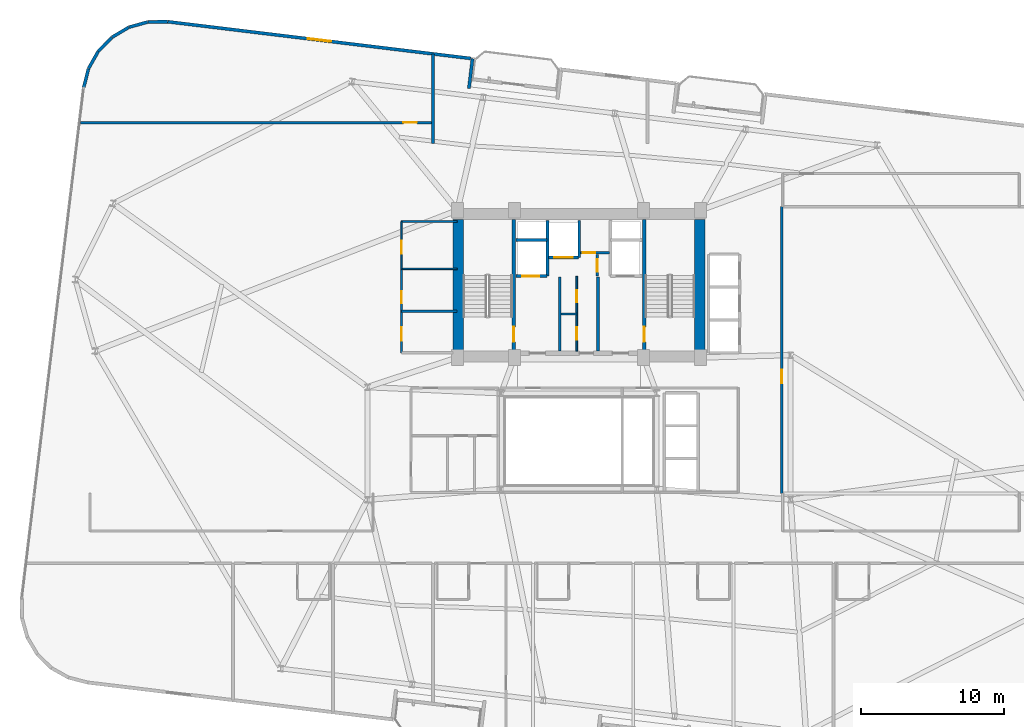
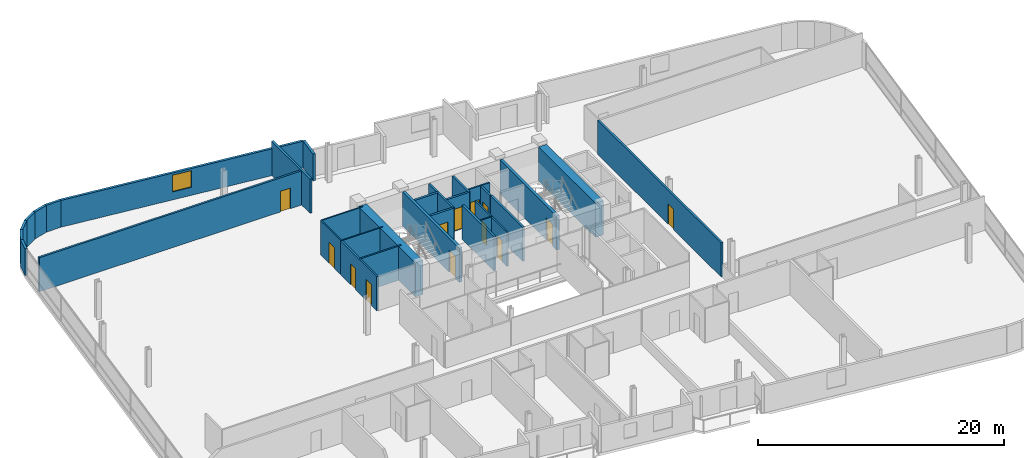
# One storey, part 22 of 26: 31 walls, 13 doors, 1 window, 14 openings.
"""IFC4 building model written with IfcOpenShell, lengths in metres."""

import ifcopenshell
import ifcopenshell.guid

model = None  # the IFC model being written
_history = None  # IfcOwnerHistory: only IFC2X3 demands one
_inside = {}  # id of a spatial element -> (the spatial element, [elements in it])
_under = {}  # id of a project, library or spatial element -> (it, [spatial elements below it])
_declared = {}  # id of a project -> (the project, [libraries it declares])
_typed = {}  # id of a type object -> (the type object, [elements of that type])
_made_of = {}  # id of a material, layer set ... -> (it, [elements and type objects made of it])


def new_model(schema):
    """Start an empty IFC model of exactly this schema.

    Asked for "IFC4X3", IfcOpenShell would pick the latest addendum, in which some entities
    have other attributes; the version numbers below select the first issue.
    IFC2X3 requires an IfcOwnerHistory on every rooted entity: one is made here for all.
    """
    global model, _history
    if schema == "IFC4X3":
        model = ifcopenshell.file(schema_version=(4, 3, 0, 0))
    else:
        model = ifcopenshell.file(schema=schema)
    _inside.clear()
    _under.clear()
    _declared.clear()
    _typed.clear()
    _made_of.clear()
    _history = None
    if model.schema == "IFC2X3":
        org = make("IfcOrganization", Name="unknown")
        user = make(
            "IfcPersonAndOrganization",
            ThePerson=make("IfcPerson", FamilyName="unknown"),
            TheOrganization=org,
        )
        app = make(
            "IfcApplication",
            ApplicationDeveloper=org,
            Version="unknown",
            ApplicationFullName="unknown",
            ApplicationIdentifier="unknown",
        )
        _history = make(
            "IfcOwnerHistory",
            OwningUser=user,
            OwningApplication=app,
            ChangeAction="ADDED",
            CreationDate=0,
        )
    return model


def make(cls, **values):
    """One entity of the class cls with the attributes given. An attribute that is None is left unset."""
    return model.create_entity(
        cls, **{name: value for name, value in values.items() if value is not None}
    )


def rooted(cls, **values):
    """An entity with a GlobalId (a new one), such as an element, a storey or a relation."""
    return make(cls, GlobalId=ifcopenshell.guid.new(), OwnerHistory=_history, **values)


def si_unit(unit_type, name, prefix=None):
    """IfcSIUnit, for example si_unit("LENGTHUNIT", "METRE", prefix="MILLI")."""
    return make("IfcSIUnit", UnitType=unit_type, Prefix=prefix, Name=name)


def assignment(units):
    """IfcUnitAssignment: the units of a project."""
    return None if units is None else make("IfcUnitAssignment", Units=units)


def point(xyz):
    """IfcCartesianPoint."""
    return None if xyz is None else make("IfcCartesianPoint", Coordinates=xyz)


def direction(xyz):
    """IfcDirection."""
    return None if xyz is None else make("IfcDirection", DirectionRatios=xyz)


def frame(location, z_axis=None, x_axis=None):
    """IfcAxis2Placement3D, a coordinate frame: its origin and axes. An axis left out is left unset."""
    return make(
        "IfcAxis2Placement3D",
        Location=point(location),
        Axis=direction(z_axis),
        RefDirection=direction(x_axis),
    )


def frame_2d(location, x_axis=None):
    """IfcAxis2Placement2D, a coordinate frame in the plane: its origin and x axis."""
    return make(
        "IfcAxis2Placement2D", Location=point(location), RefDirection=direction(x_axis)
    )


def origin():
    """The frame at (0, 0, 0) with its axes left unset."""
    return frame((0.0, 0.0, 0.0))


def place(relative_to, where):
    """IfcLocalPlacement: puts the frame where relative to a parent placement (None: the world)."""
    return make(
        "IfcLocalPlacement", PlacementRelTo=relative_to, RelativePlacement=where
    )


def context(
    kind, dimensions, precision=None, world=None, true_north=None, identifier=None
):
    """IfcGeometricRepresentationContext, for example the 3D "Model" context."""
    return make(
        "IfcGeometricRepresentationContext",
        ContextIdentifier=identifier,
        ContextType=kind,
        CoordinateSpaceDimension=dimensions,
        Precision=precision,
        WorldCoordinateSystem=world,
        TrueNorth=true_north,
    )


def subcontext(parent, identifier, kind, view, scale=None):
    """IfcGeometricRepresentationSubContext, for example "Body" below "Model"."""
    return make(
        "IfcGeometricRepresentationSubContext",
        ContextIdentifier=identifier,
        ContextType=kind,
        ParentContext=parent,
        TargetScale=scale,
        TargetView=view,
    )


def project(units=None, contexts=None):
    """IfcProject with its units and contexts."""
    return rooted(
        "IfcProject",
        Name="project",
        RepresentationContexts=contexts,
        UnitsInContext=assignment(units),
    )


def spatial(cls, under=None, at=None, **own):
    """A site, building, storey or space (cls), placed at a placement, below another one or the project."""
    s = rooted(cls, ObjectPlacement=at, **own)
    if under is not None:
        _under.setdefault(under.id(), (under, []))[1].append(s)
    return s


def profile(cls, at=None, kind="AREA", **sizes):
    """A parametric profile (cls). Its sizes go by their IFC names, for example OverallWidth=200.0."""
    return make(cls, ProfileType=kind, Position=at, **sizes)


def rectangle(**sizes):
    """IfcRectangleProfileDef."""
    return profile("IfcRectangleProfileDef", **sizes)


def extrude(swept, where, along, depth):
    """IfcExtrudedAreaSolid: the profile swept, set in the frame where, extruded along a direction by depth."""
    return make(
        "IfcExtrudedAreaSolid",
        SweptArea=swept,
        Position=where,
        ExtrudedDirection=direction(along),
        Depth=depth,
    )


def shape(context_of_items, identifier, shape_type, items):
    """IfcShapeRepresentation: the items that make up one representation, for example the "Body"."""
    return make(
        "IfcShapeRepresentation",
        ContextOfItems=context_of_items,
        RepresentationIdentifier=identifier,
        RepresentationType=shape_type,
        Items=items,
    )


def material(Name=None, Category=None):
    """IfcMaterial."""
    return make("IfcMaterial", Name=Name, Category=Category)


def layer(
    of_material, thickness, ventilated=None, Name=None, Category=None, Priority=None
):
    """IfcMaterialLayer: one layer of a wall or slab, of a material (None: an air gap)."""
    return make(
        "IfcMaterialLayer",
        Material=of_material,
        LayerThickness=thickness,
        IsVentilated=ventilated,
        Name=Name,
        Category=Category,
        Priority=Priority,
    )


def layer_set(layers, Name=None):
    """IfcMaterialLayerSet."""
    return make("IfcMaterialLayerSet", MaterialLayers=layers, LayerSetName=Name)


def made_of(thing, what):
    """Note that an element or type object is made of a material, layer set ...; save() writes the relation."""
    if what is not None:
        _made_of.setdefault(what.id(), (what, []))[1].append(thing)
    return thing


def type_object(cls, material=None, **own):
    """A type object (cls), such as IfcWallType, which elements share."""
    return made_of(rooted(cls, **own), material)


def element(
    cls,
    number,
    at=None,
    inside=None,
    cuts=None,
    type_object=None,
    material=None,
    context=None,
    identifier="Body",
    shape_type=None,
    held_by="IfcProductDefinitionShape",
    body=None,
    shapes=None,
    **own,
):
    """One element of the class cls, such as IfcWall. Its Tag is "e" and its number.

    at: its placement. inside: the storey or other place that contains it. cuts: it is an
    opening in that element (IfcRelVoidsElement). A single representation is given by context,
    identifier, shape_type and body (its items); several are given by shapes. held_by: the class
    of the entity that holds the representations. save() writes the other relations.
    """
    e = rooted(cls, Tag="e%d" % number, ObjectPlacement=at, **own)
    if body is not None:
        shapes = [shape(context, identifier, shape_type, body)]
    if shapes is not None:
        e.Representation = make(held_by, Representations=shapes)
    if inside is not None:
        _inside.setdefault(inside.id(), (inside, []))[1].append(e)
    if cuts is not None:
        rooted(
            "IfcRelVoidsElement", RelatingBuildingElement=cuts, RelatedOpeningElement=e
        )
    if type_object is not None:
        _typed.setdefault(type_object.id(), (type_object, []))[1].append(e)
    return made_of(e, material)


def fill(opening, filler):
    """IfcRelFillsElement: the door or window that sits in an opening."""
    return rooted(
        "IfcRelFillsElement",
        RelatingOpeningElement=opening,
        RelatedBuildingElement=filler,
    )


def aggregate(whole, parts):
    """IfcRelAggregates: a whole, such as a stair, and the parts it consists of."""
    return rooted("IfcRelAggregates", RelatingObject=whole, RelatedObjects=parts)


def save(model, path):
    """Write the relations noted so far, then the file.

    IfcRelAggregates (storeys below a building ...), IfcRelContainedInSpatialStructure (elements
    in a storey), IfcRelDefinesByType, IfcRelAssociatesMaterial and IfcRelDeclares: one each for
    every whole, place, type object, material and project.
    """
    for whole, parts in _under.values():
        aggregate(whole, parts)
    for where, things in _inside.values():
        rooted(
            "IfcRelContainedInSpatialStructure",
            RelatedElements=things,
            RelatingStructure=where,
        )
    for kind, things in _typed.values():
        rooted("IfcRelDefinesByType", RelatedObjects=things, RelatingType=kind)
    for what, things in _made_of.values():
        rooted("IfcRelAssociatesMaterial", RelatedObjects=things, RelatingMaterial=what)
    for by, libraries in _declared.values():
        rooted("IfcRelDeclares", RelatingContext=by, RelatedDefinitions=libraries)
    model.write(path)


model = new_model("IFC4")

# Units and contexts
model_context = context("Model", 3, precision=1e-05, world=origin(), true_north=direction((0.0, 1.0)))
body_context = subcontext(model_context, "Body", "Model", "MODEL_VIEW")
ifc_project = project(units=[si_unit("LENGTHUNIT", "METRE"), si_unit("AREAUNIT", "SQUARE_METRE"), si_unit("VOLUMEUNIT", "CUBIC_METRE"), si_unit("PLANEANGLEUNIT", "RADIAN"), si_unit("MASSUNIT", "GRAM", prefix="KILO")], contexts=[model_context])

# Site, building, storey
site_placement = place(None, origin())
site = spatial("IfcSite", under=ifc_project, at=site_placement, CompositionType="ELEMENT")
building_placement = place(site_placement, origin())
building = spatial("IfcBuilding", under=site, at=building_placement, Name="Varnelok Gate Tower", CompositionType="ELEMENT")
storey_placement = place(building_placement, frame((0.0, 0.0, 158.699951171875)))
storey = spatial("IfcBuildingStorey", under=building, at=storey_placement, Name="L40", CompositionType="ELEMENT", Elevation=158.699951171875)

# Wall
ifc_material_1 = material(Name="Concrete C45/55", Category="concrete")
ifc_layer_1 = layer(ifc_material_1, 0.219970703125)
ifc_layer_set_1 = layer_set([ifc_layer_1], Name="Concrete C45/55")
wall_type_1 = type_object("IfcWallType", Name="EW-BALC-220", PredefinedType="SOLIDWALL", material=ifc_layer_set_1)
wall_1_placement = place(storey_placement, frame((31.50390625, 47.568115234375, 0.0), z_axis=(0.0, 0.0, 1.0), x_axis=(0.120341784665, 0.992732519294, 0.0)))
element("IfcWall", 1, at=wall_1_placement, inside=storey, type_object=wall_type_1, Name="L40 Perimeter Facade Closure Wall 31", PredefinedType="SOLIDWALL", context=body_context, shape_type="SweptSolid", body=[
    extrude(rectangle(XDim=2.099853515625, YDim=0.219970703125, at=frame_2d((1.0498046875, 0.0))), origin(), (0.0, 0.0, 1.0), 2.66015625),
])

# Wall, opening, window
wall_2_placement = place(storey_placement, frame((31.632568359375, 49.667724609375, 0.0), z_axis=(0.0, 0.0, 1.0), x_axis=(-0.992731670483, 0.120348786531, 0.0)))
wall_2 = element("IfcWall", 2, at=wall_2_placement, inside=storey, type_object=wall_type_1, Name="L40 Perimeter Facade Closure Wall 32", PredefinedType="SOLIDWALL", context=body_context, shape_type="SweptSolid", body=[
    extrude(rectangle(XDim=21.34716796875, YDim=0.219970703125, at=frame_2d((10.673583984375, 0.0))), origin(), (0.0, 0.0, 1.0), 2.66015625),
])
opening_1_placement = place(wall_2_placement, frame((9.8486328125, 0.0, 0.800048828125)))
opening_1 = element("IfcOpeningElement", 3, at=opening_1_placement, cuts=wall_2, Name="Opening WN3", PredefinedType="OPENING", context=body_context, shape_type="SweptSolid", body=[
    extrude(rectangle(XDim=1.64990234375, YDim=1.64990234375, at=frame_2d((0.824951171875, 0.824951171875))), frame((0.0, 0.119873046875, 0.0), z_axis=(0.0, -1.0, 0.0), x_axis=(1.0, 0.0, 0.0)), (0.0, 0.0, 1.0), 0.239990234375),
])
ifc_material_2 = material(Name="Low-E Laminated Double Glazing IGU", Category="glass")
window_type = type_object("IfcWindowType", Name="WN-HTL-1650", PartitioningType="SINGLE_PANEL", PredefinedType="WINDOW", material=ifc_material_2)
window_placement = place(opening_1_placement, origin())
window = element("IfcWindow", 4, at=window_placement, inside=storey, type_object=window_type, Name="L40 Perimeter Vision Window 32", OverallHeight=1.64990234375, OverallWidth=1.64990234375, PartitioningType="SINGLE_PANEL", PredefinedType="WINDOW", context=body_context, shape_type="SweptSolid", body=[
    extrude(rectangle(XDim=1.64990234375, YDim=1.64990234375, at=frame_2d((0.824951171875, 0.824951171875))), frame((0.0, 0.030029296875, 0.0), z_axis=(0.0, -1.0, 0.0), x_axis=(1.0, 0.0, 0.0)), (0.0, 0.0, 1.0), 0.06005859375),
])
fill(opening_1, window)

# Walls
wall_3_placement = place(storey_placement, frame((10.41552734375, 52.236572265625, 0.0), z_axis=(0.0, 0.0, 1.0), x_axis=(-0.999947718056, -0.010225514878, 0.0)))
element("IfcWall", 5, at=wall_3_placement, inside=storey, type_object=wall_type_1, Name="L40 Perimeter Facade Closure Wall 33", PredefinedType="SOLIDWALL", context=body_context, shape_type="SweptSolid", body=[
    extrude(rectangle(XDim=1.36083984375, YDim=0.219970703125, at=frame_2d((0.680419921875, 0.0))), origin(), (0.0, 0.0, 1.0), 2.66015625),
])
for number, where, z_axis, x_axis, name in (
    (6, (9.030517578125, 52.2158203125, 0.0), (0.0, 0.0, 1.0), (-0.963227802828, -0.268686061898, 0.0), "L40 Perimeter Facade Closure Wall 34"),
    (7, (7.70556640625, 51.839599609375, 0.0), (0.0, 0.0, 1.0), (-0.860739665837, -0.509045408244, 0.0), "L40 Perimeter Facade Closure Wall 35"),
):
    element("IfcWall", number, at=place(storey_placement, frame(where, z_axis=z_axis, x_axis=x_axis)), inside=storey, type_object=wall_type_1, Name=name, PredefinedType="SOLIDWALL", context=body_context, shape_type="SweptSolid", body=[
        extrude(rectangle(XDim=1.35302734375, YDim=0.219970703125, at=frame_2d((0.676513671875, 0.0))), origin(), (0.0, 0.0, 1.0), 2.66015625),
    ])
wall_4_placement = place(storey_placement, frame((6.5234375, 51.13330078125, 0.0), z_axis=(0.0, 0.0, 1.0), x_axis=(-0.699762925925, -0.714375144795, 0.0)))
element("IfcWall", 8, at=wall_4_placement, inside=storey, type_object=wall_type_1, Name="L40 Perimeter Facade Closure Wall 36", PredefinedType="SOLIDWALL", context=body_context, shape_type="SweptSolid", body=[
    extrude(rectangle(XDim=1.353271484375, YDim=0.219970703125, at=frame_2d((0.6767578125, 0.0))), origin(), (0.0, 0.0, 1.0), 2.66015625),
])
wall_5_placement = place(storey_placement, frame((5.564208984375, 50.144775390625, 0.0), z_axis=(0.0, 0.0, 1.0), x_axis=(-0.491117621399, -0.871093268227, 0.0)))
element("IfcWall", 9, at=wall_5_placement, inside=storey, type_object=wall_type_1, Name="L40 Perimeter Facade Closure Wall 37", PredefinedType="SOLIDWALL", context=body_context, shape_type="SweptSolid", body=[
    extrude(rectangle(XDim=1.35302734375, YDim=0.219970703125, at=frame_2d((0.676513671875, 0.0))), origin(), (0.0, 0.0, 1.0), 2.66015625),
])
wall_6_placement = place(storey_placement, frame((4.8935546875, 48.94189453125, 0.0), z_axis=(0.0, 0.0, 1.0), x_axis=(-0.248857256909, -0.968540172468, 0.0)))
element("IfcWall", 10, at=wall_6_placement, inside=storey, type_object=wall_type_1, Name="L40 Perimeter Facade Closure Wall 38", PredefinedType="SOLIDWALL", context=body_context, shape_type="SweptSolid", body=[
    extrude(rectangle(XDim=1.352783203125, YDim=0.219970703125, at=frame_2d((0.67626953125, 0.0))), origin(), (0.0, 0.0, 1.0), 2.66015625),
])

# Wall, opening, door
ifc_material_3 = material(Name="Gypsum Plasterboard Acoustic Partition", Category="gypsum")
ifc_layer_2 = layer(ifc_material_3, 0.179931640625)
ifc_layer_set_2 = layer_set([ifc_layer_2], Name="Gypsum Plasterboard Acoustic Partition")
wall_type_2 = type_object("IfcWallType", Name="PW-CORR-180", PredefinedType="PARTITIONING", material=ifc_layer_set_2)
wall_7_placement = place(storey_placement, frame((4.318603515625, 45.179931640625, 0.0), z_axis=(0.0, 0.0, 1.0), x_axis=(1.0, 0.0, 0.0)))
wall_7 = element("IfcWall", 11, at=wall_7_placement, inside=storey, type_object=wall_type_2, Name="Interior Partition", PredefinedType="PARTITIONING", context=body_context, shape_type="SweptSolid", body=[
    extrude(rectangle(XDim=24.601318359375, YDim=0.179931640625, at=frame_2d((12.30078125, 0.0))), origin(), (0.0, 0.0, 1.0), 3.380126953125),
])
opening_2_placement = place(wall_7_placement, frame((22.598876953125, 0.0, 0.0)))
opening_2 = element("IfcOpeningElement", 12, at=opening_2_placement, cuts=wall_7, Name="Opening D-I2", PredefinedType="OPENING", context=body_context, shape_type="SweptSolid", body=[
    extrude(rectangle(XDim=0.949951171875, YDim=2.050048828125, at=frame_2d((0.47509765625, 1.02490234375))), frame((0.0, 0.099853515625, 0.0), z_axis=(0.0, -1.0, 0.0), x_axis=(1.0, 0.0, 0.0)), (0.0, 0.0, 1.0), 0.199951171875),
])
ifc_material_4 = material(Name="Engineered Hardwood Timber", Category="wood")
door_type_1 = type_object("IfcDoorType", Name="DR-INT-950", OperationType="NOTDEFINED", PredefinedType="DOOR", material=ifc_material_4)
door_1_placement = place(opening_2_placement, origin())
door_1 = element("IfcDoor", 13, at=door_1_placement, inside=storey, type_object=door_type_1, Name="L40 Spa Treatment Suite Door", OperationType="SINGLE_SWING_LEFT", OverallHeight=2.050048828125, OverallWidth=0.949951171875, PredefinedType="DOOR", context=body_context, shape_type="SweptSolid", body=[
    extrude(rectangle(XDim=0.949951171875, YDim=2.050048828125, at=frame_2d((0.47509765625, 1.02490234375))), frame((0.0, 0.02490234375, 0.0), z_axis=(0.0, -1.0, 0.0), x_axis=(1.0, 0.0, 0.0)), (0.0, 0.0, 1.0), 0.050048828125),
])
fill(opening_2, door_1)

wall_8_placement = place(storey_placement, frame((53.389892578125, 19.239990234375, 0.0), z_axis=(0.0, 0.0, 1.0), x_axis=(0.0, 1.0, 0.0)))
wall_8 = element("IfcWall", 14, at=wall_8_placement, inside=storey, type_object=wall_type_2, Name="Interior Partition", PredefinedType="PARTITIONING", context=body_context, shape_type="SweptSolid", body=[
    extrude(rectangle(XDim=20.06005859375, YDim=0.179931640625, at=frame_2d((10.030029296875, 0.0))), origin(), (0.0, 0.0, 1.0), 3.380126953125),
])
opening_3_placement = place(wall_8_placement, frame((7.699951171875, 0.0, 0.0)))
opening_3 = element("IfcOpeningElement", 15, at=opening_3_placement, cuts=wall_8, Name="Opening D-I2", PredefinedType="OPENING", context=body_context, shape_type="SweptSolid", body=[
    extrude(rectangle(XDim=0.949951171875, YDim=2.050048828125, at=frame_2d((0.47509765625, 1.02490234375))), frame((0.0, 0.099853515625, 0.0), z_axis=(0.0, -1.0, 0.0), x_axis=(1.0, 0.0, 0.0)), (0.0, 0.0, 1.0), 0.199951171875),
])
door_2_placement = place(opening_3_placement, origin())
door_2 = element("IfcDoor", 16, at=door_2_placement, inside=storey, type_object=door_type_1, Name="L40 East Club Door", OperationType="SINGLE_SWING_RIGHT", OverallHeight=2.050048828125, OverallWidth=0.949951171875, PredefinedType="DOOR", context=body_context, shape_type="SweptSolid", body=[
    extrude(rectangle(XDim=0.949951171875, YDim=2.050048828125, at=frame_2d((0.47509765625, 1.02490234375))), frame((0.0, 0.02490234375, 0.0), z_axis=(0.0, -1.0, 0.0), x_axis=(1.0, 0.0, 0.0)), (0.0, 0.0, 1.0), 0.050048828125),
])
fill(opening_3, door_2)

# Walls
ifc_layer_3 = layer(ifc_material_3, 0.114990234375)
ifc_layer_set_3 = layer_set([ifc_layer_3], Name="Gypsum Plasterboard Acoustic Partition")
wall_type_3 = type_object("IfcWallType", Name="PW-ENS-125", PredefinedType="PARTITIONING", material=ifc_layer_set_3)
wall_9_placement = place(storey_placement, frame((26.800048828125, 34.949951171875, 0.0), z_axis=(0.0, 0.0, 1.0), x_axis=(1.0, 0.0, 0.0)))
element("IfcWall", 17, at=wall_9_placement, inside=storey, type_object=wall_type_3, Name="Interior Partition", PredefinedType="PARTITIONING", context=body_context, shape_type="SweptSolid", body=[
    extrude(rectangle(XDim=3.8798828125, YDim=0.114990234375, at=frame_2d((1.93994140625, 0.0))), origin(), (0.0, 0.0, 1.0), 3.380126953125),
])
wall_10_placement = place(storey_placement, frame((26.780029296875, 38.260009765625, 0.0), z_axis=(0.0, 0.0, 1.0), x_axis=(1.0, 0.0, 0.0)))
element("IfcWall", 18, at=wall_10_placement, inside=storey, type_object=wall_type_3, Name="Interior Partition", PredefinedType="PARTITIONING", context=body_context, shape_type="SweptSolid", body=[
    extrude(rectangle(XDim=3.89990234375, YDim=0.114990234375, at=frame_2d((1.949951171875, 0.0))), origin(), (0.0, 0.0, 1.0), 3.380126953125),
])

# Wall, opening, door
wall_11_placement = place(storey_placement, frame((26.780029296875, 34.949951171875, 0.0), z_axis=(0.0, 0.0, 1.0), x_axis=(0.0, 1.0, 0.0)))
wall_11 = element("IfcWall", 19, at=wall_11_placement, inside=storey, type_object=wall_type_3, Name="Interior Partition", PredefinedType="PARTITIONING", context=body_context, shape_type="SweptSolid", body=[
    extrude(rectangle(XDim=3.31005859375, YDim=0.114990234375, at=frame_2d((1.655029296875, 0.0))), origin(), (0.0, 0.0, 1.0), 3.380126953125),
])
opening_4_placement = place(wall_11_placement, frame((1.050048828125, 0.0, 0.0)))
opening_4 = element("IfcOpeningElement", 20, at=opening_4_placement, cuts=wall_11, Name="Opening D-WC", PredefinedType="OPENING", context=body_context, shape_type="SweptSolid", body=[
    extrude(rectangle(XDim=0.89990234375, YDim=2.050048828125, at=frame_2d((0.449951171875, 1.02490234375))), frame((0.0, 0.0673828125, 0.0), z_axis=(0.0, -1.0, 0.0), x_axis=(1.0, 0.0, 0.0)), (0.0, 0.0, 1.0), 0.135009765625),
])
door_type_2 = type_object("IfcDoorType", Name="DR-BATH-900", OperationType="NOTDEFINED", PredefinedType="DOOR", material=ifc_material_4)
door_3_placement = place(opening_4_placement, origin())
door_3 = element("IfcDoor", 21, at=door_3_placement, inside=storey, type_object=door_type_2, Name="L40 Core Staff WC Door", OperationType="SINGLE_SWING_LEFT", OverallHeight=2.050048828125, OverallWidth=0.89990234375, PredefinedType="DOOR", context=body_context, shape_type="SweptSolid", body=[
    extrude(rectangle(XDim=0.89990234375, YDim=2.050048828125, at=frame_2d((0.449951171875, 1.02490234375))), frame((0.0, 0.02490234375, 0.0), z_axis=(0.0, -1.0, 0.0), x_axis=(1.0, 0.0, 0.0)), (0.0, 0.0, 1.0), 0.050048828125),
])
fill(opening_4, door_3)

# Wall
ifc_layer_4 = layer(ifc_material_3, 0.125)
ifc_layer_set_4 = layer_set([ifc_layer_4], Name="Gypsum Plasterboard Acoustic Partition")
wall_type_4 = type_object("IfcWallType", Name="PW-PART-125", PredefinedType="PARTITIONING", material=ifc_layer_set_4)
wall_12_placement = place(storey_placement, frame((37.9599609375, 31.800048828125, 0.0), z_axis=(0.0, 0.0, 1.0), x_axis=(1.0, 0.0, 0.0)))
element("IfcWall", 22, at=wall_12_placement, inside=storey, type_object=wall_type_4, Name="Interior Partition", PredefinedType="PARTITIONING", context=body_context, shape_type="SweptSolid", body=[
    extrude(rectangle(XDim=1.090087890625, YDim=0.125, at=frame_2d((0.544921875, 0.0))), origin(), (0.0, 0.0, 1.0), 3.380126953125),
])

# Wall, openings, doors
wall_13_placement = place(storey_placement, frame((39.050048828125, 29.199951171875, 0.0), z_axis=(0.0, 0.0, 1.0), x_axis=(0.0, 1.0, 0.0)))
wall_13 = element("IfcWall", 23, at=wall_13_placement, inside=storey, type_object=wall_type_4, Name="Interior Partition", PredefinedType="PARTITIONING", context=body_context, shape_type="SweptSolid", body=[
    extrude(rectangle(XDim=5.219970703125, YDim=0.125, at=frame_2d((2.60986328125, 0.0))), origin(), (0.0, 0.0, 1.0), 3.380126953125),
])
opening_5_placement = place(wall_13_placement, frame((0.800048828125, 0.0, 0.0)))
opening_5 = element("IfcOpeningElement", 24, at=opening_5_placement, cuts=wall_13, Name="Opening D-RS", PredefinedType="OPENING", context=body_context, shape_type="SweptSolid", body=[
    extrude(rectangle(XDim=0.85009765625, YDim=2.050048828125, at=frame_2d((0.425048828125, 1.02490234375))), frame((0.0, 0.072509765625, 0.0), z_axis=(0.0, -1.0, 0.0), x_axis=(1.0, 0.0, 0.0)), (0.0, 0.0, 1.0), 0.14501953125),
])
opening_6_placement = place(wall_13_placement, frame((3.39990234375, 0.0, 0.0)))
opening_6 = element("IfcOpeningElement", 25, at=opening_6_placement, cuts=wall_13, Name="Opening D-RS", PredefinedType="OPENING", context=body_context, shape_type="SweptSolid", body=[
    extrude(rectangle(XDim=0.85009765625, YDim=2.050048828125, at=frame_2d((0.425048828125, 1.02490234375))), frame((0.0, 0.072509765625, 0.0), z_axis=(0.0, -1.0, 0.0), x_axis=(1.0, 0.0, 0.0)), (0.0, 0.0, 1.0), 0.14501953125),
])
ifc_material_5 = material(Name="Galvanized Steel Grade S350GD", Category="steel")
door_type_3 = type_object("IfcDoorType", Name="DR-RISER-850", OperationType="NOTDEFINED", PredefinedType="DOOR", material=ifc_material_5)
door_4_placement = place(opening_5_placement, origin())
door_4 = element("IfcDoor", 26, at=door_4_placement, inside=storey, type_object=door_type_3, Name="L40 Housekeeping Linen Door", OperationType="SINGLE_SWING_LEFT", OverallHeight=2.050048828125, OverallWidth=0.85009765625, PredefinedType="DOOR", context=body_context, shape_type="SweptSolid", body=[
    extrude(rectangle(XDim=0.85009765625, YDim=2.050048828125, at=frame_2d((0.425048828125, 1.02490234375))), frame((0.0, 0.02490234375, 0.0), z_axis=(0.0, -1.0, 0.0), x_axis=(1.0, 0.0, 0.0)), (0.0, 0.0, 1.0), 0.050048828125),
])
fill(opening_5, door_4)
door_5_placement = place(opening_6_placement, origin())
door_5 = element("IfcDoor", 27, at=door_5_placement, inside=storey, type_object=door_type_3, Name="L40 Janitor Sink Door", OperationType="SINGLE_SWING_RIGHT", OverallHeight=2.050048828125, OverallWidth=0.85009765625, PredefinedType="DOOR", context=body_context, shape_type="SweptSolid", body=[
    extrude(rectangle(XDim=0.85009765625, YDim=2.050048828125, at=frame_2d((0.425048828125, 1.02490234375))), frame((0.0, 0.02490234375, 0.0), z_axis=(0.0, -1.0, 0.0), x_axis=(1.0, 0.0, 0.0)), (0.0, 0.0, 1.0), 0.050048828125),
])
fill(opening_6, door_5)

# Wall, opening, door
ifc_layer_5 = layer(ifc_material_3, 0.14990234375)
ifc_layer_set_5 = layer_set([ifc_layer_5], Name="Gypsum Plasterboard Acoustic Partition")
wall_type_5 = type_object("IfcWallType", Name="PW-PART-150", PredefinedType="PARTITIONING", material=ifc_layer_set_5)
wall_14_placement = place(storey_placement, frame((39.300048828125, 36.080078125, 0.0), z_axis=(0.0, 0.0, 1.0), x_axis=(1.0, 0.0, 0.0)))
wall_14 = element("IfcWall", 28, at=wall_14_placement, inside=storey, type_object=wall_type_5, Name="L40 Electrical Closet South Wall", PredefinedType="PARTITIONING", context=body_context, shape_type="SweptSolid", body=[
    extrude(rectangle(XDim=2.02001953125, YDim=0.14990234375, at=frame_2d((1.010009765625, 0.0))), origin(), (0.0, 0.0, 1.0), 3.380126953125),
])
opening_7_placement = place(wall_14_placement, frame((0.179931640625, 0.0, 0.0)))
opening_7 = element("IfcOpeningElement", 29, at=opening_7_placement, cuts=wall_14, Name="Opening D-RS", PredefinedType="OPENING", context=body_context, shape_type="SweptSolid", body=[
    extrude(rectangle(XDim=0.85009765625, YDim=2.050048828125, at=frame_2d((0.425048828125, 1.02490234375))), frame((0.0, 0.0849609375, 0.0), z_axis=(0.0, -1.0, 0.0), x_axis=(1.0, 0.0, 0.0)), (0.0, 0.0, 1.0), 0.169921875),
])
door_6_placement = place(opening_7_placement, origin())
door_6 = element("IfcDoor", 30, at=door_6_placement, inside=storey, type_object=door_type_3, Name="L40 Electrical Closet Door", OperationType="SINGLE_SWING_RIGHT", OverallHeight=2.050048828125, OverallWidth=0.85009765625, PredefinedType="DOOR", context=body_context, shape_type="SweptSolid", body=[
    extrude(rectangle(XDim=0.85009765625, YDim=2.050048828125, at=frame_2d((0.425048828125, 1.02490234375))), frame((0.0, 0.02490234375, 0.0), z_axis=(0.0, -1.0, 0.0), x_axis=(1.0, 0.0, 0.0)), (0.0, 0.0, 1.0), 0.050048828125),
])
fill(opening_7, door_6)

wall_15_placement = place(storey_placement, frame((40.47998046875, 34.43994140625, 0.0), z_axis=(0.0, 0.0, 1.0), x_axis=(0.0, 1.0, 0.0)))
wall_15 = element("IfcWall", 31, at=wall_15_placement, inside=storey, type_object=wall_type_5, Name="L40 Telecoms Closet West Wall", PredefinedType="PARTITIONING", context=body_context, shape_type="SweptSolid", body=[
    extrude(rectangle(XDim=1.52001953125, YDim=0.14990234375, at=frame_2d((0.760009765625, 0.0))), origin(), (0.0, 0.0, 1.0), 3.380126953125),
])
opening_8_placement = place(wall_15_placement, frame((0.320068359375, 0.0, 0.0)))
opening_8 = element("IfcOpeningElement", 32, at=opening_8_placement, cuts=wall_15, Name="Opening D-RS", PredefinedType="OPENING", context=body_context, shape_type="SweptSolid", body=[
    extrude(rectangle(XDim=0.85009765625, YDim=2.050048828125, at=frame_2d((0.425048828125, 1.02490234375))), frame((0.0, 0.0849609375, 0.0), z_axis=(0.0, -1.0, 0.0), x_axis=(1.0, 0.0, 0.0)), (0.0, 0.0, 1.0), 0.169921875),
])
door_7_placement = place(opening_8_placement, origin())
door_7 = element("IfcDoor", 33, at=door_7_placement, inside=storey, type_object=door_type_3, Name="L40 Telecoms Closet Door", OperationType="SINGLE_SWING_LEFT", OverallHeight=2.050048828125, OverallWidth=0.85009765625, PredefinedType="DOOR", context=body_context, shape_type="SweptSolid", body=[
    extrude(rectangle(XDim=0.85009765625, YDim=2.050048828125, at=frame_2d((0.425048828125, 1.02490234375))), frame((0.0, 0.02490234375, 0.0), z_axis=(0.0, -1.0, 0.0), x_axis=(1.0, 0.0, 0.0)), (0.0, 0.0, 1.0), 0.050048828125),
])
fill(opening_8, door_7)

# Wall
wall_16_placement = place(storey_placement, frame((26.800048828125, 31.989990234375, 0.0), z_axis=(0.0, 0.0, 1.0), x_axis=(1.0, 0.0, 0.0)))
element("IfcWall", 34, at=wall_16_placement, inside=storey, type_object=wall_type_5, Name="Interior Partition", PredefinedType="PARTITIONING", context=body_context, shape_type="SweptSolid", body=[
    extrude(rectangle(XDim=3.8798828125, YDim=0.14990234375, at=frame_2d((1.93994140625, 0.0))), origin(), (0.0, 0.0, 1.0), 3.380126953125),
])

# Wall, openings, doors
wall_17_placement = place(storey_placement, frame((26.780029296875, 29.080078125, 0.0), z_axis=(0.0, 0.0, 1.0), x_axis=(0.0, 1.0, 0.0)))
wall_17 = element("IfcWall", 35, at=wall_17_placement, inside=storey, type_object=wall_type_5, Name="Interior Partition", PredefinedType="PARTITIONING", context=body_context, shape_type="SweptSolid", body=[
    extrude(rectangle(XDim=5.869873046875, YDim=0.14990234375, at=frame_2d((2.93505859375, 0.0))), origin(), (0.0, 0.0, 1.0), 3.380126953125),
])
opening_9_placement = place(wall_17_placement, frame((0.85009765625, 0.0, 0.0)))
opening_9 = element("IfcOpeningElement", 36, at=opening_9_placement, cuts=wall_17, Name="Opening D-I3", PredefinedType="OPENING", context=body_context, shape_type="SweptSolid", body=[
    extrude(rectangle(XDim=0.919921875, YDim=2.050048828125, at=frame_2d((0.4599609375, 1.02490234375))), frame((0.0, 0.0849609375, 0.0), z_axis=(0.0, -1.0, 0.0), x_axis=(1.0, 0.0, 0.0)), (0.0, 0.0, 1.0), 0.169921875),
])
opening_10_placement = place(wall_17_placement, frame((3.449951171875, 0.0, 0.0)))
opening_10 = element("IfcOpeningElement", 37, at=opening_10_placement, cuts=wall_17, Name="Opening D-RS", PredefinedType="OPENING", context=body_context, shape_type="SweptSolid", body=[
    extrude(rectangle(XDim=0.85009765625, YDim=2.050048828125, at=frame_2d((0.425048828125, 1.02490234375))), frame((0.0, 0.0849609375, 0.0), z_axis=(0.0, -1.0, 0.0), x_axis=(1.0, 0.0, 0.0)), (0.0, 0.0, 1.0), 0.169921875),
])
door_type_4 = type_object("IfcDoorType", Name="DR-INT-920", OperationType="NOTDEFINED", PredefinedType="DOOR", material=ifc_material_4)
door_8_placement = place(opening_9_placement, origin())
door_8 = element("IfcDoor", 38, at=door_8_placement, inside=storey, type_object=door_type_4, Name="L40 Core Linen Door", OperationType="SINGLE_SWING_LEFT", OverallHeight=2.050048828125, OverallWidth=0.919921875, PredefinedType="DOOR", context=body_context, shape_type="SweptSolid", body=[
    extrude(rectangle(XDim=0.919921875, YDim=2.050048828125, at=frame_2d((0.4599609375, 1.02490234375))), frame((0.0, 0.02490234375, 0.0), z_axis=(0.0, -1.0, 0.0), x_axis=(1.0, 0.0, 0.0)), (0.0, 0.0, 1.0), 0.050048828125),
])
fill(opening_9, door_8)
door_9_placement = place(opening_10_placement, origin())
door_9 = element("IfcDoor", 39, at=door_9_placement, inside=storey, type_object=door_type_3, Name="L40 Core Janitor Door", OperationType="SINGLE_SWING_RIGHT", OverallHeight=2.050048828125, OverallWidth=0.85009765625, PredefinedType="DOOR", context=body_context, shape_type="SweptSolid", body=[
    extrude(rectangle(XDim=0.85009765625, YDim=2.050048828125, at=frame_2d((0.425048828125, 1.02490234375))), frame((0.0, 0.02490234375, 0.0), z_axis=(0.0, -1.0, 0.0), x_axis=(1.0, 0.0, 0.0)), (0.0, 0.0, 1.0), 0.050048828125),
])
fill(opening_10, door_9)

# Walls
ifc_layer_6 = layer(ifc_material_3, 0.205078125)
ifc_layer_set_6 = layer_set([ifc_layer_6], Name="Gypsum Plasterboard Acoustic Partition")
wall_type_6 = type_object("IfcWallType", Name="PW-PARTY-200", PredefinedType="PARTITIONING", material=ifc_layer_set_6)
wall_18_placement = place(storey_placement, frame((29.0, 43.72998046875, 0.0), z_axis=(0.0, 0.0, 1.0), x_axis=(0.0, 1.0, 0.0)))
element("IfcWall", 40, at=wall_18_placement, inside=storey, type_object=wall_type_6, Name="L40 North Party Wall 1", PredefinedType="PARTITIONING", context=body_context, shape_type="SweptSolid", body=[
    extrude(rectangle(XDim=6.23681640625, YDim=0.205078125, at=frame_2d((3.118408203125, 0.0))), origin(), (0.0, 0.0, 1.0), 3.380126953125),
])
ifc_material_6 = material(Name="Concrete C35/45", Category="concrete")
ifc_layer_7 = layer(ifc_material_6, 0.199951171875)
ifc_layer_set_7 = layer_set([ifc_layer_7], Name="Concrete C35/45")
wall_type_7 = type_object("IfcWallType", Name="PW-SHAFT-200", PredefinedType="PARTITIONING", material=ifc_layer_set_7)
for number, where, z_axis, x_axis, name in (
    (41, (37.860107421875, 29.199951171875, 0.0), (0.0, 0.0, 1.0), (0.0, 1.0, 0.0), "L40 West FF Lobby Rated Wall"),
    (42, (40.5400390625, 29.199951171875, 0.0), (0.0, 0.0, 1.0), (0.0, 1.0, 0.0), "L40 East FF Lobby Rated Wall"),
):
    element("IfcWall", number, at=place(storey_placement, frame(where, z_axis=z_axis, x_axis=x_axis)), inside=storey, type_object=wall_type_7, Name=name, PredefinedType="PARTITIONING", context=body_context, shape_type="SweptSolid", body=[
        extrude(rectangle(XDim=5.179931640625, YDim=0.199951171875, at=frame_2d((2.58984375, 0.0))), origin(), (0.0, 0.0, 1.0), 3.380126953125),
    ])

# Wall, opening, door
wall_19_placement = place(storey_placement, frame((34.800048828125, 34.43994140625, 0.0), z_axis=(0.0, 0.0, 1.0), x_axis=(1.0, 0.0, 0.0)))
wall_19 = element("IfcWall", 43, at=wall_19_placement, inside=storey, type_object=wall_type_7, Name="L40 FF1 Shaft Front Wall", PredefinedType="PARTITIONING", context=body_context, shape_type="SweptSolid", body=[
    extrude(rectangle(XDim=2.179931640625, YDim=0.199951171875, at=frame_2d((1.08984375, 0.0))), origin(), (0.0, 0.0, 1.0), 3.380126953125),
])
opening_11_placement = place(wall_19_placement, frame((0.419921875, 0.0, 0.0)))
opening_11 = element("IfcOpeningElement", 44, at=opening_11_placement, cuts=wall_19, Name="Opening LD-FF1", PredefinedType="OPENING", context=body_context, shape_type="SweptSolid", body=[
    extrude(rectangle(XDim=1.199951171875, YDim=2.199951171875, at=frame_2d((0.60009765625, 1.10009765625))), frame((0.0, 0.10986328125, 0.0), z_axis=(0.0, -1.0, 0.0), x_axis=(1.0, 0.0, 0.0)), (0.0, 0.0, 1.0), 0.219970703125),
])
door_type_5 = type_object("IfcDoorType", Name="DR-LIFT-FF1200", OperationType="SLIDING_TO_LEFT", PredefinedType="DOOR", material=ifc_material_5)
door_10_placement = place(opening_11_placement, origin())
door_10 = element("IfcDoor", 45, at=door_10_placement, inside=storey, type_object=door_type_5, Name="L40 Firefighting Lift Landing Door LD-FF1", OperationType="SLIDING_TO_LEFT", OverallHeight=2.199951171875, OverallWidth=1.199951171875, PredefinedType="DOOR", context=body_context, shape_type="SweptSolid", body=[
    extrude(rectangle(XDim=1.199951171875, YDim=2.199951171875, at=frame_2d((0.60009765625, 1.10009765625))), frame((0.0, 0.02490234375, 0.0), z_axis=(0.0, -1.0, 0.0), x_axis=(1.0, 0.0, 0.0)), (0.0, 0.0, 1.0), 0.050048828125),
])
fill(opening_11, door_10)

# Walls
wall_20_placement = place(storey_placement, frame((34.800048828125, 36.97998046875, 0.0), z_axis=(0.0, 0.0, 1.0), x_axis=(1.0, 0.0, 0.0)))
element("IfcWall", 46, at=wall_20_placement, inside=storey, type_object=wall_type_7, Name="L40 FF1 Shaft North Wall", PredefinedType="PARTITIONING", context=body_context, shape_type="SweptSolid", body=[
    extrude(rectangle(XDim=2.179931640625, YDim=0.199951171875, at=frame_2d((1.08984375, 0.0))), origin(), (0.0, 0.0, 1.0), 3.380126953125),
])
wall_21_placement = place(storey_placement, frame((37.0, 34.43994140625, 0.0), z_axis=(0.0, 0.0, 1.0), x_axis=(0.0, 1.0, 0.0)))
element("IfcWall", 47, at=wall_21_placement, inside=storey, type_object=wall_type_7, Name="L40 FF1 Shaft Side Wall", PredefinedType="PARTITIONING", context=body_context, shape_type="SweptSolid", body=[
    extrude(rectangle(XDim=3.900146484375, YDim=0.199951171875, at=frame_2d((1.9501953125, 0.0))), origin(), (0.0, 0.0, 1.0), 3.380126953125),
])

# Wall, opening, door
wall_22_placement = place(storey_placement, frame((37.06005859375, 35.75, 0.0), z_axis=(0.0, 0.0, 1.0), x_axis=(1.0, 0.0, 0.0)))
wall_22 = element("IfcWall", 48, at=wall_22_placement, inside=storey, type_object=wall_type_7, Name="L40 SV1 Shaft Front Wall", PredefinedType="PARTITIONING", context=body_context, shape_type="SweptSolid", body=[
    extrude(rectangle(XDim=2.119873046875, YDim=0.199951171875, at=frame_2d((1.06005859375, 0.0))), origin(), (0.0, 0.0, 1.0), 3.380126953125),
])
opening_12_placement = place(wall_22_placement, frame((0.39990234375, 0.0, 0.0)))
opening_12 = element("IfcOpeningElement", 49, at=opening_12_placement, cuts=wall_22, Name="Opening LD-SV1", PredefinedType="OPENING", context=body_context, shape_type="SweptSolid", body=[
    extrude(rectangle(XDim=1.300048828125, YDim=2.199951171875, at=frame_2d((0.64990234375, 1.10009765625))), frame((0.0, 0.10986328125, 0.0), z_axis=(0.0, -1.0, 0.0), x_axis=(1.0, 0.0, 0.0)), (0.0, 0.0, 1.0), 0.219970703125),
])
door_type_6 = type_object("IfcDoorType", Name="DR-LIFT-SV1300", OperationType="SLIDING_TO_LEFT", PredefinedType="DOOR", material=ifc_material_5)
door_11_placement = place(opening_12_placement, origin())
door_11 = element("IfcDoor", 50, at=door_11_placement, inside=storey, type_object=door_type_6, Name="L40 Service Lift Landing Door LD-SV1", OperationType="SLIDING_TO_LEFT", OverallHeight=2.199951171875, OverallWidth=1.300048828125, PredefinedType="DOOR", context=body_context, shape_type="SweptSolid", body=[
    extrude(rectangle(XDim=1.300048828125, YDim=2.199951171875, at=frame_2d((0.64990234375, 1.10009765625))), frame((0.0, 0.02490234375, 0.0), z_axis=(0.0, -1.0, 0.0), x_axis=(1.0, 0.0, 0.0)), (0.0, 0.0, 1.0), 0.050048828125),
])
fill(opening_12, door_11)

# Walls
wall_23_placement = place(storey_placement, frame((39.219970703125, 35.75, 0.0), z_axis=(0.0, 0.0, 1.0), x_axis=(0.0, 1.0, 0.0)))
element("IfcWall", 51, at=wall_23_placement, inside=storey, type_object=wall_type_7, Name="L40 SV1 Shaft East Wall", PredefinedType="PARTITIONING", context=body_context, shape_type="SweptSolid", body=[
    extrude(rectangle(XDim=2.590087890625, YDim=0.199951171875, at=frame_2d((1.294921875, 0.0))), origin(), (0.0, 0.0, 1.0), 3.380126953125),
])
ifc_material_7 = material(Name="Concrete C70/85", Category="concrete")
ifc_layer_8 = layer(ifc_material_7, 0.75)
ifc_layer_set_8 = layer_set([ifc_layer_8], Name="Concrete C70/85")
wall_type_8 = type_object("IfcWallType", Name="SW-CORE-750", PredefinedType="SHEAR", material=ifc_layer_set_8)
for number, where, z_axis, x_axis, name in (
    (52, (30.7548828125, 29.199951171875, 0.0), (0.0, 0.0, 1.0), (0.0, 1.0, 0.0), "L40 Rear Core West Shear Wall"),
    (53, (47.64501953125, 29.199951171875, 0.0), (0.0, 0.0, 1.0), (0.0, 1.0, 0.0), "L40 Rear Core East Shear Wall"),
):
    element("IfcWall", number, at=place(storey_placement, frame(where, z_axis=z_axis, x_axis=x_axis)), inside=storey, type_object=wall_type_8, Name=name, PredefinedType="SHEAR", context=body_context, shape_type="SweptSolid", body=[
        extrude(rectangle(XDim=9.219970703125, YDim=0.75, at=frame_2d((4.60986328125, 0.0))), origin(), (0.0, 0.0, 1.0), 3.380126953125),
    ])

# Wall, opening, door
ifc_material_8 = material(Name="Concrete C60/75", Category="concrete")
ifc_layer_9 = layer(ifc_material_8, 0.25)
ifc_layer_set_9 = layer_set([ifc_layer_9], Name="Concrete C60/75")
wall_type_9 = type_object("IfcWallType", Name="SW-SHAFT-250", PredefinedType="SHEAR", material=ifc_layer_set_9)
wall_24_placement = place(storey_placement, frame((34.639892578125, 29.199951171875, 0.0), z_axis=(0.0, 0.0, 1.0), x_axis=(0.0, 1.0, 0.0)))
wall_24 = element("IfcWall", 54, at=wall_24_placement, inside=storey, type_object=wall_type_9, Name="L40 Stair ST-1 East Shear Wall", PredefinedType="SHEAR", context=body_context, shape_type="SweptSolid", body=[
    extrude(rectangle(XDim=9.219970703125, YDim=0.25, at=frame_2d((4.60986328125, 0.0))), origin(), (0.0, 0.0, 1.0), 3.380126953125),
])
opening_13_placement = place(wall_24_placement, frame((0.64990234375, 0.0, 0.0)))
opening_13 = element("IfcOpeningElement", 55, at=opening_13_placement, cuts=wall_24, Name="Opening D-ST", PredefinedType="OPENING", context=body_context, shape_type="SweptSolid", body=[
    extrude(rectangle(XDim=1.050048828125, YDim=2.14990234375, at=frame_2d((0.52490234375, 1.074951171875))), frame((0.0, 0.135009765625, 0.0), z_axis=(0.0, -1.0, 0.0), x_axis=(1.0, 0.0, 0.0)), (0.0, 0.0, 1.0), 0.27001953125),
])
door_type_7 = type_object("IfcDoorType", Name="DR-STAIR-1050", OperationType="NOTDEFINED", PredefinedType="DOOR", material=ifc_material_5)
door_12_placement = place(opening_13_placement, origin())
door_12 = element("IfcDoor", 56, at=door_12_placement, inside=storey, type_object=door_type_7, Name="L40 Exit Stair ST-1 Fire Door", OperationType="SINGLE_SWING_LEFT", OverallHeight=2.14990234375, OverallWidth=1.050048828125, PredefinedType="DOOR", context=body_context, shape_type="SweptSolid", body=[
    extrude(rectangle(XDim=1.050048828125, YDim=2.14990234375, at=frame_2d((0.52490234375, 1.074951171875))), frame((0.0, 0.02490234375, 0.0), z_axis=(0.0, -1.0, 0.0), x_axis=(1.0, 0.0, 0.0)), (0.0, 0.0, 1.0), 0.050048828125),
])
fill(opening_13, door_12)

wall_25_placement = place(storey_placement, frame((43.760009765625, 29.199951171875, 0.0), z_axis=(0.0, 0.0, 1.0), x_axis=(0.0, 1.0, 0.0)))
wall_25 = element("IfcWall", 57, at=wall_25_placement, inside=storey, type_object=wall_type_9, Name="L40 Stair ST-2 West Shear Wall", PredefinedType="SHEAR", context=body_context, shape_type="SweptSolid", body=[
    extrude(rectangle(XDim=9.219970703125, YDim=0.25, at=frame_2d((4.60986328125, 0.0))), origin(), (0.0, 0.0, 1.0), 3.380126953125),
])
opening_14_placement = place(wall_25_placement, frame((0.64990234375, 0.0, 0.0)))
opening_14 = element("IfcOpeningElement", 58, at=opening_14_placement, cuts=wall_25, Name="Opening D-ST", PredefinedType="OPENING", context=body_context, shape_type="SweptSolid", body=[
    extrude(rectangle(XDim=1.050048828125, YDim=2.14990234375, at=frame_2d((0.52490234375, 1.074951171875))), frame((0.0, 0.135009765625, 0.0), z_axis=(0.0, -1.0, 0.0), x_axis=(1.0, 0.0, 0.0)), (0.0, 0.0, 1.0), 0.27001953125),
])
door_13_placement = place(opening_14_placement, origin())
door_13 = element("IfcDoor", 59, at=door_13_placement, inside=storey, type_object=door_type_7, Name="L40 Exit Stair ST-2 Fire Door", OperationType="SINGLE_SWING_RIGHT", OverallHeight=2.14990234375, OverallWidth=1.050048828125, PredefinedType="DOOR", context=body_context, shape_type="SweptSolid", body=[
    extrude(rectangle(XDim=1.050048828125, YDim=2.14990234375, at=frame_2d((0.52490234375, 1.074951171875))), frame((0.0, 0.02490234375, 0.0), z_axis=(0.0, -1.0, 0.0), x_axis=(1.0, 0.0, 0.0)), (0.0, 0.0, 1.0), 0.050048828125),
])
fill(opening_14, door_13)

save(model, "model.ifc")
